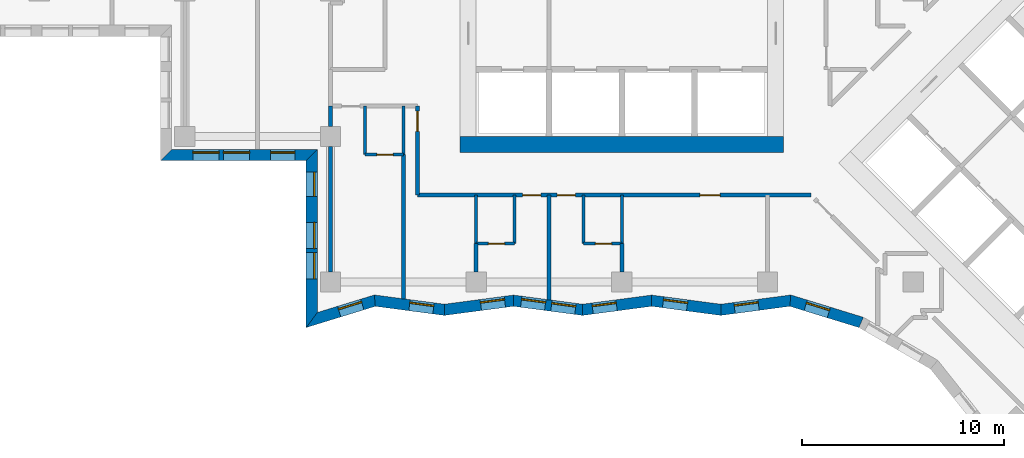
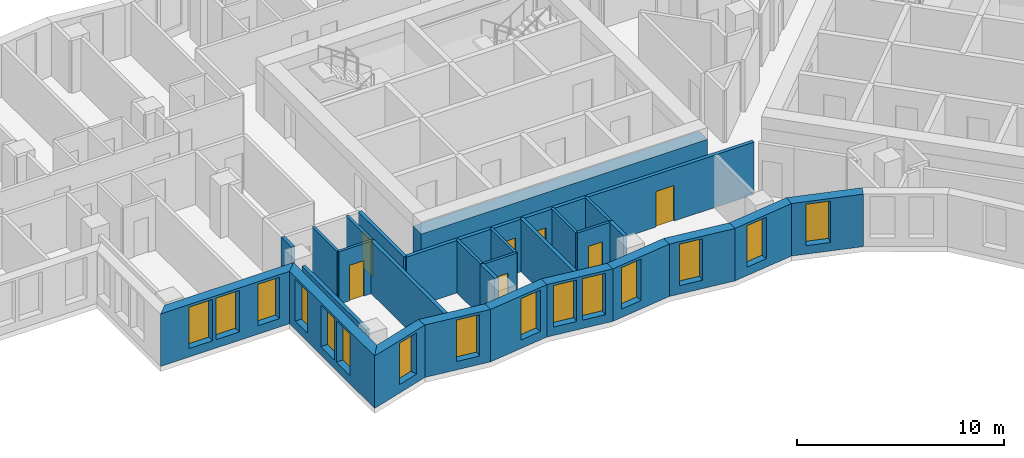
# One storey, part 2 of 13: 28 walls, 15 windows, 7 doors, 22 openings.
"""IFC4 building model written with IfcOpenShell, lengths in metres."""

import ifcopenshell
import ifcopenshell.guid

model = None  # the IFC model being written
_history = None  # IfcOwnerHistory: only IFC2X3 demands one
_inside = {}  # id of a spatial element -> (the spatial element, [elements in it])
_under = {}  # id of a project, library or spatial element -> (it, [spatial elements below it])
_declared = {}  # id of a project -> (the project, [libraries it declares])
_typed = {}  # id of a type object -> (the type object, [elements of that type])
_made_of = {}  # id of a material, layer set ... -> (it, [elements and type objects made of it])


def new_model(schema):
    """Start an empty IFC model of exactly this schema.

    Asked for "IFC4X3", IfcOpenShell would pick the latest addendum, in which some entities
    have other attributes; the version numbers below select the first issue.
    IFC2X3 requires an IfcOwnerHistory on every rooted entity: one is made here for all.
    """
    global model, _history
    if schema == "IFC4X3":
        model = ifcopenshell.file(schema_version=(4, 3, 0, 0))
    else:
        model = ifcopenshell.file(schema=schema)
    _inside.clear()
    _under.clear()
    _declared.clear()
    _typed.clear()
    _made_of.clear()
    _history = None
    if model.schema == "IFC2X3":
        org = make("IfcOrganization", Name="unknown")
        user = make(
            "IfcPersonAndOrganization",
            ThePerson=make("IfcPerson", FamilyName="unknown"),
            TheOrganization=org,
        )
        app = make(
            "IfcApplication",
            ApplicationDeveloper=org,
            Version="unknown",
            ApplicationFullName="unknown",
            ApplicationIdentifier="unknown",
        )
        _history = make(
            "IfcOwnerHistory",
            OwningUser=user,
            OwningApplication=app,
            ChangeAction="ADDED",
            CreationDate=0,
        )
    return model


def make(cls, **values):
    """One entity of the class cls with the attributes given. An attribute that is None is left unset."""
    return model.create_entity(
        cls, **{name: value for name, value in values.items() if value is not None}
    )


def rooted(cls, **values):
    """An entity with a GlobalId (a new one), such as an element, a storey or a relation."""
    return make(cls, GlobalId=ifcopenshell.guid.new(), OwnerHistory=_history, **values)


def si_unit(unit_type, name, prefix=None):
    """IfcSIUnit, for example si_unit("LENGTHUNIT", "METRE", prefix="MILLI")."""
    return make("IfcSIUnit", UnitType=unit_type, Prefix=prefix, Name=name)


def assignment(units):
    """IfcUnitAssignment: the units of a project."""
    return None if units is None else make("IfcUnitAssignment", Units=units)


def point(xyz):
    """IfcCartesianPoint."""
    return None if xyz is None else make("IfcCartesianPoint", Coordinates=xyz)


def direction(xyz):
    """IfcDirection."""
    return None if xyz is None else make("IfcDirection", DirectionRatios=xyz)


def frame(location, z_axis=None, x_axis=None):
    """IfcAxis2Placement3D, a coordinate frame: its origin and axes. An axis left out is left unset."""
    return make(
        "IfcAxis2Placement3D",
        Location=point(location),
        Axis=direction(z_axis),
        RefDirection=direction(x_axis),
    )


def frame_2d(location, x_axis=None):
    """IfcAxis2Placement2D, a coordinate frame in the plane: its origin and x axis."""
    return make(
        "IfcAxis2Placement2D", Location=point(location), RefDirection=direction(x_axis)
    )


def origin():
    """The frame at (0, 0, 0) with its axes left unset."""
    return frame((0.0, 0.0, 0.0))


def place(relative_to, where):
    """IfcLocalPlacement: puts the frame where relative to a parent placement (None: the world)."""
    return make(
        "IfcLocalPlacement", PlacementRelTo=relative_to, RelativePlacement=where
    )


def context(
    kind, dimensions, precision=None, world=None, true_north=None, identifier=None
):
    """IfcGeometricRepresentationContext, for example the 3D "Model" context."""
    return make(
        "IfcGeometricRepresentationContext",
        ContextIdentifier=identifier,
        ContextType=kind,
        CoordinateSpaceDimension=dimensions,
        Precision=precision,
        WorldCoordinateSystem=world,
        TrueNorth=true_north,
    )


def subcontext(parent, identifier, kind, view, scale=None):
    """IfcGeometricRepresentationSubContext, for example "Body" below "Model"."""
    return make(
        "IfcGeometricRepresentationSubContext",
        ContextIdentifier=identifier,
        ContextType=kind,
        ParentContext=parent,
        TargetScale=scale,
        TargetView=view,
    )


def project(units=None, contexts=None):
    """IfcProject with its units and contexts."""
    return rooted(
        "IfcProject",
        Name="project",
        RepresentationContexts=contexts,
        UnitsInContext=assignment(units),
    )


def spatial(cls, under=None, at=None, **own):
    """A site, building, storey or space (cls), placed at a placement, below another one or the project."""
    s = rooted(cls, ObjectPlacement=at, **own)
    if under is not None:
        _under.setdefault(under.id(), (under, []))[1].append(s)
    return s


def polyline(points):
    """IfcPolyline through the points."""
    return make("IfcPolyline", Points=[point(p) for p in points])


def profile(cls, at=None, kind="AREA", **sizes):
    """A parametric profile (cls). Its sizes go by their IFC names, for example OverallWidth=200.0."""
    return make(cls, ProfileType=kind, Position=at, **sizes)


def rectangle(**sizes):
    """IfcRectangleProfileDef."""
    return profile("IfcRectangleProfileDef", **sizes)


def outline(outer, holes=None, kind="AREA"):
    """IfcArbitraryClosedProfileDef: a profile drawn as a closed curve; with holes, ...WithVoids."""
    if holes is None:
        return make("IfcArbitraryClosedProfileDef", ProfileType=kind, OuterCurve=outer)
    return make(
        "IfcArbitraryProfileDefWithVoids",
        ProfileType=kind,
        OuterCurve=outer,
        InnerCurves=holes,
    )


def extrude(swept, where, along, depth):
    """IfcExtrudedAreaSolid: the profile swept, set in the frame where, extruded along a direction by depth."""
    return make(
        "IfcExtrudedAreaSolid",
        SweptArea=swept,
        Position=where,
        ExtrudedDirection=direction(along),
        Depth=depth,
    )


def shape(context_of_items, identifier, shape_type, items):
    """IfcShapeRepresentation: the items that make up one representation, for example the "Body"."""
    return make(
        "IfcShapeRepresentation",
        ContextOfItems=context_of_items,
        RepresentationIdentifier=identifier,
        RepresentationType=shape_type,
        Items=items,
    )


def material(Name=None, Category=None):
    """IfcMaterial."""
    return make("IfcMaterial", Name=Name, Category=Category)


def layer(
    of_material, thickness, ventilated=None, Name=None, Category=None, Priority=None
):
    """IfcMaterialLayer: one layer of a wall or slab, of a material (None: an air gap)."""
    return make(
        "IfcMaterialLayer",
        Material=of_material,
        LayerThickness=thickness,
        IsVentilated=ventilated,
        Name=Name,
        Category=Category,
        Priority=Priority,
    )


def layer_set(layers, Name=None):
    """IfcMaterialLayerSet."""
    return make("IfcMaterialLayerSet", MaterialLayers=layers, LayerSetName=Name)


def made_of(thing, what):
    """Note that an element or type object is made of a material, layer set ...; save() writes the relation."""
    if what is not None:
        _made_of.setdefault(what.id(), (what, []))[1].append(thing)
    return thing


def type_object(cls, material=None, **own):
    """A type object (cls), such as IfcWallType, which elements share."""
    return made_of(rooted(cls, **own), material)


def element(
    cls,
    number,
    at=None,
    inside=None,
    cuts=None,
    type_object=None,
    material=None,
    context=None,
    identifier="Body",
    shape_type=None,
    held_by="IfcProductDefinitionShape",
    body=None,
    shapes=None,
    **own,
):
    """One element of the class cls, such as IfcWall. Its Tag is "e" and its number.

    at: its placement. inside: the storey or other place that contains it. cuts: it is an
    opening in that element (IfcRelVoidsElement). A single representation is given by context,
    identifier, shape_type and body (its items); several are given by shapes. held_by: the class
    of the entity that holds the representations. save() writes the other relations.
    """
    e = rooted(cls, Tag="e%d" % number, ObjectPlacement=at, **own)
    if body is not None:
        shapes = [shape(context, identifier, shape_type, body)]
    if shapes is not None:
        e.Representation = make(held_by, Representations=shapes)
    if inside is not None:
        _inside.setdefault(inside.id(), (inside, []))[1].append(e)
    if cuts is not None:
        rooted(
            "IfcRelVoidsElement", RelatingBuildingElement=cuts, RelatedOpeningElement=e
        )
    if type_object is not None:
        _typed.setdefault(type_object.id(), (type_object, []))[1].append(e)
    return made_of(e, material)


def fill(opening, filler):
    """IfcRelFillsElement: the door or window that sits in an opening."""
    return rooted(
        "IfcRelFillsElement",
        RelatingOpeningElement=opening,
        RelatedBuildingElement=filler,
    )


def aggregate(whole, parts):
    """IfcRelAggregates: a whole, such as a stair, and the parts it consists of."""
    return rooted("IfcRelAggregates", RelatingObject=whole, RelatedObjects=parts)


def save(model, path):
    """Write the relations noted so far, then the file.

    IfcRelAggregates (storeys below a building ...), IfcRelContainedInSpatialStructure (elements
    in a storey), IfcRelDefinesByType, IfcRelAssociatesMaterial and IfcRelDeclares: one each for
    every whole, place, type object, material and project.
    """
    for whole, parts in _under.values():
        aggregate(whole, parts)
    for where, things in _inside.values():
        rooted(
            "IfcRelContainedInSpatialStructure",
            RelatedElements=things,
            RelatingStructure=where,
        )
    for kind, things in _typed.values():
        rooted("IfcRelDefinesByType", RelatedObjects=things, RelatingType=kind)
    for what, things in _made_of.values():
        rooted("IfcRelAssociatesMaterial", RelatedObjects=things, RelatingMaterial=what)
    for by, libraries in _declared.values():
        rooted("IfcRelDeclares", RelatingContext=by, RelatedDefinitions=libraries)
    model.write(path)


model = new_model("IFC4")

# Units and contexts
model_context = context("Model", 3, precision=1e-05, world=origin(), true_north=direction((0.0, 1.0)))
body_context = subcontext(model_context, "Body", "Model", "MODEL_VIEW")
ifc_project = project(units=[si_unit("LENGTHUNIT", "METRE"), si_unit("AREAUNIT", "SQUARE_METRE"), si_unit("VOLUMEUNIT", "CUBIC_METRE"), si_unit("PLANEANGLEUNIT", "RADIAN"), si_unit("MASSUNIT", "GRAM", prefix="KILO")], contexts=[model_context])

# Site, building, storey
site_placement = place(None, origin())
site = spatial("IfcSite", under=ifc_project, at=site_placement, CompositionType="ELEMENT")
building_placement = place(site_placement, origin())
building = spatial("IfcBuilding", under=site, at=building_placement, Name="Windrow Commons", CompositionType="ELEMENT")
storey_placement = place(building_placement, frame((0.0, 0.0, 98.2)))
storey = spatial("IfcBuildingStorey", under=building, at=storey_placement, Name="L26", CompositionType="ELEMENT", Elevation=98.2)

# Wall, openings, windows
ifc_material_1 = material(Name="Brick masonry, red clay brick", Category="masonry")
ifc_layer_1 = layer(ifc_material_1, 0.55)
ifc_layer_set_1 = layer_set([ifc_layer_1], Name="Brick facade wall 550")
wall_type_1 = type_object("IfcWallType", Name="Brick facade wall 550", PredefinedType="SOLIDWALL", material=ifc_layer_set_1)
wall_1_placement = place(storey_placement, frame((42.275, 49.475, 0.0), z_axis=(0.0, 0.0, 1.0), x_axis=(1.0, 0.0, 0.0)))
wall_1 = element("IfcWall", 1, at=wall_1_placement, inside=storey, type_object=wall_type_1, Name="Brick facade wall L26 42", PredefinedType="SOLIDWALL", context=body_context, shape_type="SweptSolid", body=[
    extrude(outline(polyline([(-0.275, -0.275), (6.925, -0.275), (7.475, 0.275), (0.275, 0.275), (-0.275, -0.275)])), origin(), (0.0, 0.0, 1.0), 3.1),
])
opening_1_placement = place(wall_1_placement, frame((1.325, 0.0, 0.5)))
opening_1 = element("IfcOpeningElement", 2, at=opening_1_placement, cuts=wall_1, Name="Opening W1P", PredefinedType="OPENING", context=body_context, shape_type="SweptSolid", body=[
    extrude(rectangle(XDim=1.3, YDim=2.45, at=frame_2d((0.65, 1.225))), frame((0.0, 0.285, 0.0), z_axis=(0.0, -1.0, 0.0), x_axis=(1.0, 0.0, 0.0)), (0.0, 0.0, 1.0), 0.57),
])
opening_2_placement = place(wall_1_placement, frame((2.825, 0.0, 0.5)))
opening_2 = element("IfcOpeningElement", 3, at=opening_2_placement, cuts=wall_1, Name="Opening W1P", PredefinedType="OPENING", context=body_context, shape_type="SweptSolid", body=[
    extrude(rectangle(XDim=1.3, YDim=2.45, at=frame_2d((0.65, 1.225))), frame((0.0, 0.285, 0.0), z_axis=(0.0, -1.0, 0.0), x_axis=(1.0, 0.0, 0.0)), (0.0, 0.0, 1.0), 0.57),
])
opening_3_placement = place(wall_1_placement, frame((5.1625, 0.0, 0.5)))
opening_3 = element("IfcOpeningElement", 4, at=opening_3_placement, cuts=wall_1, Name="Opening W7D", PredefinedType="OPENING", context=body_context, shape_type="SweptSolid", body=[
    extrude(rectangle(XDim=1.2, YDim=2.45, at=frame_2d((0.6, 1.225))), frame((0.0, 0.285, 0.0), z_axis=(0.0, -1.0, 0.0), x_axis=(1.0, 0.0, 0.0)), (0.0, 0.0, 1.0), 0.57),
])
ifc_material_2 = material(Name="Clear float glass in anodised aluminium frame", Category="aluminium")
window_type_1 = type_object("IfcWindowType", Name="Window W1P pair 1300x2450", PartitioningType="SINGLE_PANEL", PredefinedType="WINDOW", material=ifc_material_2)
window_1_placement = place(opening_1_placement, origin())
window_1 = element("IfcWindow", 5, at=window_1_placement, inside=storey, type_object=window_type_1, Name="Window L26 42.1A", OverallHeight=2.45, OverallWidth=1.3, PartitioningType="SINGLE_PANEL", PredefinedType="WINDOW", context=body_context, shape_type="SweptSolid", body=[
    extrude(rectangle(XDim=1.3, YDim=2.45, at=frame_2d((0.65, 1.225))), frame((0.0, 0.155, 0.0), z_axis=(0.0, -1.0, 0.0), x_axis=(1.0, 0.0, 0.0)), (0.0, 0.0, 1.0), 0.06),
])
fill(opening_1, window_1)
window_2_placement = place(opening_2_placement, origin())
window_2 = element("IfcWindow", 6, at=window_2_placement, inside=storey, type_object=window_type_1, Name="Window L26 42.1B", OverallHeight=2.45, OverallWidth=1.3, PartitioningType="SINGLE_PANEL", PredefinedType="WINDOW", context=body_context, shape_type="SweptSolid", body=[
    extrude(rectangle(XDim=1.3, YDim=2.45, at=frame_2d((0.65, 1.225))), frame((0.0, 0.155, 0.0), z_axis=(0.0, -1.0, 0.0), x_axis=(1.0, 0.0, 0.0)), (0.0, 0.0, 1.0), 0.06),
])
fill(opening_2, window_2)
ifc_material_3 = material(Name="Clear float glass in anodised aluminium frame", Category="aluminium")
window_type_2 = type_object("IfcWindowType", Name="Window W7 notch 1200x2450", PartitioningType="SINGLE_PANEL", PredefinedType="WINDOW", material=ifc_material_3)
window_3_placement = place(opening_3_placement, origin())
window_3 = element("IfcWindow", 7, at=window_3_placement, inside=storey, type_object=window_type_2, Name="Window L26 42.2", OverallHeight=2.45, OverallWidth=1.2, PartitioningType="SINGLE_PANEL", PredefinedType="WINDOW", context=body_context, shape_type="SweptSolid", body=[
    extrude(rectangle(XDim=1.2, YDim=2.45, at=frame_2d((0.6, 1.225))), frame((0.0, 0.155, 0.0), z_axis=(0.0, -1.0, 0.0), x_axis=(1.0, 0.0, 0.0)), (0.0, 0.0, 1.0), 0.06),
])
fill(opening_3, window_3)

wall_2_placement = place(storey_placement, frame((49.475, 49.475, 0.0), z_axis=(0.0, 0.0, 1.0), x_axis=(0.0, -1.0, 0.0)))
wall_2 = element("IfcWall", 8, at=wall_2_placement, inside=storey, type_object=wall_type_1, Name="Brick facade wall L26 43", PredefinedType="SOLIDWALL", context=body_context, shape_type="SweptSolid", body=[
    extrude(outline(polyline([(0.275, -0.275), (8.526, -0.275), (7.7813, 0.275), (-0.275, 0.275), (0.275, -0.275)])), origin(), (0.0, 0.0, 1.0), 3.1),
])
opening_4_placement = place(wall_2_placement, frame((3.325, 0.0, 0.5)))
opening_4 = element("IfcOpeningElement", 9, at=opening_4_placement, cuts=wall_2, Name="Opening W1P", PredefinedType="OPENING", context=body_context, shape_type="SweptSolid", body=[
    extrude(rectangle(XDim=1.3, YDim=2.45, at=frame_2d((0.65, 1.225))), frame((0.0, 0.285, 0.0), z_axis=(0.0, -1.0, 0.0), x_axis=(1.0, 0.0, 0.0)), (0.0, 0.0, 1.0), 0.57),
])
opening_5_placement = place(wall_2_placement, frame((4.825, 0.0, 0.5)))
opening_5 = element("IfcOpeningElement", 10, at=opening_5_placement, cuts=wall_2, Name="Opening W1P", PredefinedType="OPENING", context=body_context, shape_type="SweptSolid", body=[
    extrude(rectangle(XDim=1.3, YDim=2.45, at=frame_2d((0.65, 1.225))), frame((0.0, 0.285, 0.0), z_axis=(0.0, -1.0, 0.0), x_axis=(1.0, 0.0, 0.0)), (0.0, 0.0, 1.0), 0.57),
])
opening_6_placement = place(wall_2_placement, frame((0.8375, 0.0, 0.5)))
opening_6 = element("IfcOpeningElement", 11, at=opening_6_placement, cuts=wall_2, Name="Opening W7D", PredefinedType="OPENING", context=body_context, shape_type="SweptSolid", body=[
    extrude(rectangle(XDim=1.2, YDim=2.45, at=frame_2d((0.6, 1.225))), frame((0.0, 0.285, 0.0), z_axis=(0.0, -1.0, 0.0), x_axis=(1.0, 0.0, 0.0)), (0.0, 0.0, 1.0), 0.57),
])
window_4_placement = place(opening_4_placement, origin())
window_4 = element("IfcWindow", 12, at=window_4_placement, inside=storey, type_object=window_type_1, Name="Window L26 43.1A", OverallHeight=2.45, OverallWidth=1.3, PartitioningType="SINGLE_PANEL", PredefinedType="WINDOW", context=body_context, shape_type="SweptSolid", body=[
    extrude(rectangle(XDim=1.3, YDim=2.45, at=frame_2d((0.65, 1.225))), frame((0.0, 0.155, 0.0), z_axis=(0.0, -1.0, 0.0), x_axis=(1.0, 0.0, 0.0)), (0.0, 0.0, 1.0), 0.06),
])
fill(opening_4, window_4)
window_5_placement = place(opening_5_placement, origin())
window_5 = element("IfcWindow", 13, at=window_5_placement, inside=storey, type_object=window_type_1, Name="Window L26 43.1B", OverallHeight=2.45, OverallWidth=1.3, PartitioningType="SINGLE_PANEL", PredefinedType="WINDOW", context=body_context, shape_type="SweptSolid", body=[
    extrude(rectangle(XDim=1.3, YDim=2.45, at=frame_2d((0.65, 1.225))), frame((0.0, 0.155, 0.0), z_axis=(0.0, -1.0, 0.0), x_axis=(1.0, 0.0, 0.0)), (0.0, 0.0, 1.0), 0.06),
])
fill(opening_5, window_5)
window_6_placement = place(opening_6_placement, origin())
window_6 = element("IfcWindow", 14, at=window_6_placement, inside=storey, type_object=window_type_2, Name="Window L26 43.2", OverallHeight=2.45, OverallWidth=1.2, PartitioningType="SINGLE_PANEL", PredefinedType="WINDOW", context=body_context, shape_type="SweptSolid", body=[
    extrude(rectangle(XDim=1.2, YDim=2.45, at=frame_2d((0.6, 1.225))), frame((0.0, 0.155, 0.0), z_axis=(0.0, -1.0, 0.0), x_axis=(1.0, 0.0, 0.0)), (0.0, 0.0, 1.0), 0.06),
])
fill(opening_6, window_6)

# Wall, opening, window
wall_3_placement = place(storey_placement, frame((49.475, 41.3214, 0.0), z_axis=(0.0, 0.0, 1.0), x_axis=(0.9557664095, 0.2941267931, 0.0)))
wall_3 = element("IfcWall", 15, at=wall_3_placement, inside=storey, type_object=wall_type_1, Name="Brick facade wall L26 44", PredefinedType="SOLIDWALL", context=body_context, shape_type="SweptSolid", body=[
    extrude(outline(polyline([(-0.3724, -0.275), (3.2008, -0.275), (3.3208, 0.275), (0.3724, 0.275), (-0.3724, -0.275)])), origin(), (0.0, 0.0, 1.0), 3.1),
])
opening_7_placement = place(wall_3_placement, frame((1.4143, 0.0, 0.5)))
opening_7 = element("IfcOpeningElement", 16, at=opening_7_placement, cuts=wall_3, Name="Opening W7D", PredefinedType="OPENING", context=body_context, shape_type="SweptSolid", body=[
    extrude(rectangle(XDim=1.2, YDim=2.45, at=frame_2d((0.6, 1.225))), frame((0.0, 0.285, 0.0), z_axis=(0.0, -1.0, 0.0), x_axis=(1.0, 0.0, 0.0)), (0.0, 0.0, 1.0), 0.57),
])
window_7_placement = place(opening_7_placement, origin())
window_7 = element("IfcWindow", 17, at=window_7_placement, inside=storey, type_object=window_type_2, Name="Window L26 44.1", OverallHeight=2.45, OverallWidth=1.2, PartitioningType="SINGLE_PANEL", PredefinedType="WINDOW", context=body_context, shape_type="SweptSolid", body=[
    extrude(rectangle(XDim=1.2, YDim=2.45, at=frame_2d((0.6, 1.225))), frame((0.0, 0.155, 0.0), z_axis=(0.0, -1.0, 0.0), x_axis=(1.0, 0.0, 0.0)), (0.0, 0.0, 1.0), 0.06),
])
fill(opening_7, window_7)

wall_4_placement = place(storey_placement, frame((52.5916, 42.2805, 0.0), z_axis=(0.0, 0.0, 1.0), x_axis=(0.9913920636, -0.1309266064, 0.0)))
wall_4 = element("IfcWall", 18, at=wall_4_placement, inside=storey, type_object=wall_type_1, Name="Brick facade wall L26 45", PredefinedType="SOLIDWALL", context=body_context, shape_type="SweptSolid", body=[
    extrude(outline(polyline([(0.06, -0.275), (3.5048, -0.275), (3.4321, 0.275), (-0.06, 0.275), (0.06, -0.275)])), origin(), (0.0, 0.0, 1.0), 3.1),
])
opening_8_placement = place(wall_4_placement, frame((1.7264, 0.0, 0.5)))
opening_8 = element("IfcOpeningElement", 19, at=opening_8_placement, cuts=wall_4, Name="Opening W7D", PredefinedType="OPENING", context=body_context, shape_type="SweptSolid", body=[
    extrude(rectangle(XDim=1.2, YDim=2.45, at=frame_2d((0.6, 1.225))), frame((0.0, 0.285, 0.0), z_axis=(0.0, -1.0, 0.0), x_axis=(1.0, 0.0, 0.0)), (0.0, 0.0, 1.0), 0.57),
])
window_8_placement = place(opening_8_placement, origin())
window_8 = element("IfcWindow", 20, at=window_8_placement, inside=storey, type_object=window_type_2, Name="Window L26 45.1", OverallHeight=2.45, OverallWidth=1.2, PartitioningType="SINGLE_PANEL", PredefinedType="WINDOW", context=body_context, shape_type="SweptSolid", body=[
    extrude(rectangle(XDim=1.2, YDim=2.45, at=frame_2d((0.6, 1.225))), frame((0.0, 0.155, 0.0), z_axis=(0.0, -1.0, 0.0), x_axis=(1.0, 0.0, 0.0)), (0.0, 0.0, 1.0), 0.06),
])
fill(opening_8, window_8)

wall_5_placement = place(storey_placement, frame((56.0301, 41.8264, 0.0), z_axis=(0.0, 0.0, 1.0), x_axis=(0.9913924297, 0.1309238341, 0.0)))
wall_5 = element("IfcWall", 21, at=wall_5_placement, inside=storey, type_object=wall_type_1, Name="Brick facade wall L26 46", PredefinedType="SOLIDWALL", context=body_context, shape_type="SweptSolid", body=[
    extrude(outline(polyline([(-0.0363, -0.275), (3.4084, -0.275), (3.481, 0.275), (0.0363, 0.275), (-0.0363, -0.275)])), origin(), (0.0, 0.0, 1.0), 3.1),
])
opening_9_placement = place(wall_5_placement, frame((1.8141, 0.0, 0.5)))
opening_9 = element("IfcOpeningElement", 22, at=opening_9_placement, cuts=wall_5, Name="Opening W7D", PredefinedType="OPENING", context=body_context, shape_type="SweptSolid", body=[
    extrude(rectangle(XDim=1.2, YDim=2.45, at=frame_2d((0.6, 1.225))), frame((0.0, 0.285, 0.0), z_axis=(0.0, -1.0, 0.0), x_axis=(1.0, 0.0, 0.0)), (0.0, 0.0, 1.0), 0.57),
])
window_9_placement = place(opening_9_placement, origin())
window_9 = element("IfcWindow", 23, at=window_9_placement, inside=storey, type_object=window_type_2, Name="Window L26 46.1", OverallHeight=2.45, OverallWidth=1.2, PartitioningType="SINGLE_PANEL", PredefinedType="WINDOW", context=body_context, shape_type="SweptSolid", body=[
    extrude(rectangle(XDim=1.2, YDim=2.45, at=frame_2d((0.6, 1.225))), frame((0.0, 0.155, 0.0), z_axis=(0.0, -1.0, 0.0), x_axis=(1.0, 0.0, 0.0)), (0.0, 0.0, 1.0), 0.06),
])
fill(opening_9, window_9)

# Wall, openings, windows
wall_6_placement = place(storey_placement, frame((59.4452, 42.2774, 0.0), z_axis=(0.0, 0.0, 1.0), x_axis=(0.9913924297, -0.1309238341, 0.0)))
wall_6 = element("IfcWall", 24, at=wall_6_placement, inside=storey, type_object=wall_type_1, Name="Brick facade wall L26 47", PredefinedType="SOLIDWALL", context=body_context, shape_type="SweptSolid", body=[
    extrude(outline(polyline([(0.0363, -0.275), (3.481, -0.275), (3.4084, 0.275), (-0.0363, 0.275), (0.0363, -0.275)])), origin(), (0.0, 0.0, 1.0), 3.1),
])
opening_10_placement = place(wall_6_placement, frame((0.385, 0.0, 0.5)))
opening_10 = element("IfcOpeningElement", 25, at=opening_10_placement, cuts=wall_6, Name="Opening W7D", PredefinedType="OPENING", context=body_context, shape_type="SweptSolid", body=[
    extrude(rectangle(XDim=1.2, YDim=2.45, at=frame_2d((0.6, 1.225))), frame((0.0, 0.285, 0.0), z_axis=(0.0, -1.0, 0.0), x_axis=(1.0, 0.0, 0.0)), (0.0, 0.0, 1.0), 0.57),
])
opening_11_placement = place(wall_6_placement, frame((1.8892, 0.0, 0.5)))
opening_11 = element("IfcOpeningElement", 26, at=opening_11_placement, cuts=wall_6, Name="Opening W7D", PredefinedType="OPENING", context=body_context, shape_type="SweptSolid", body=[
    extrude(rectangle(XDim=1.2, YDim=2.45, at=frame_2d((0.6, 1.225))), frame((0.0, 0.285, 0.0), z_axis=(0.0, -1.0, 0.0), x_axis=(1.0, 0.0, 0.0)), (0.0, 0.0, 1.0), 0.57),
])
window_10_placement = place(opening_10_placement, origin())
window_10 = element("IfcWindow", 27, at=window_10_placement, inside=storey, type_object=window_type_2, Name="Window L26 47.1", OverallHeight=2.45, OverallWidth=1.2, PartitioningType="SINGLE_PANEL", PredefinedType="WINDOW", context=body_context, shape_type="SweptSolid", body=[
    extrude(rectangle(XDim=1.2, YDim=2.45, at=frame_2d((0.6, 1.225))), frame((0.0, 0.155, 0.0), z_axis=(0.0, -1.0, 0.0), x_axis=(1.0, 0.0, 0.0)), (0.0, 0.0, 1.0), 0.06),
])
fill(opening_10, window_10)
window_11_placement = place(opening_11_placement, origin())
window_11 = element("IfcWindow", 28, at=window_11_placement, inside=storey, type_object=window_type_2, Name="Window L26 47.2", OverallHeight=2.45, OverallWidth=1.2, PartitioningType="SINGLE_PANEL", PredefinedType="WINDOW", context=body_context, shape_type="SweptSolid", body=[
    extrude(rectangle(XDim=1.2, YDim=2.45, at=frame_2d((0.6, 1.225))), frame((0.0, 0.155, 0.0), z_axis=(0.0, -1.0, 0.0), x_axis=(1.0, 0.0, 0.0)), (0.0, 0.0, 1.0), 0.06),
])
fill(opening_11, window_11)

# Wall, opening, window
wall_7_placement = place(storey_placement, frame((62.8603, 41.8264, 0.0), z_axis=(0.0, 0.0, 1.0), x_axis=(0.9913924297, 0.1309238341, 0.0)))
wall_7 = element("IfcWall", 29, at=wall_7_placement, inside=storey, type_object=wall_type_1, Name="Brick facade wall L26 48", PredefinedType="SOLIDWALL", context=body_context, shape_type="SweptSolid", body=[
    extrude(outline(polyline([(-0.0363, -0.275), (3.4084, -0.275), (3.481, 0.275), (0.0363, 0.275), (-0.0363, -0.275)])), origin(), (0.0, 0.0, 1.0), 3.1),
])
opening_12_placement = place(wall_7_placement, frame((0.4964, 0.0, 0.5)))
opening_12 = element("IfcOpeningElement", 30, at=opening_12_placement, cuts=wall_7, Name="Opening W7D", PredefinedType="OPENING", context=body_context, shape_type="SweptSolid", body=[
    extrude(rectangle(XDim=1.2, YDim=2.45, at=frame_2d((0.6, 1.225))), frame((0.0, 0.285, 0.0), z_axis=(0.0, -1.0, 0.0), x_axis=(1.0, 0.0, 0.0)), (0.0, 0.0, 1.0), 0.57),
])
window_12_placement = place(opening_12_placement, origin())
window_12 = element("IfcWindow", 31, at=window_12_placement, inside=storey, type_object=window_type_2, Name="Window L26 48.1", OverallHeight=2.45, OverallWidth=1.2, PartitioningType="SINGLE_PANEL", PredefinedType="WINDOW", context=body_context, shape_type="SweptSolid", body=[
    extrude(rectangle(XDim=1.2, YDim=2.45, at=frame_2d((0.6, 1.225))), frame((0.0, 0.155, 0.0), z_axis=(0.0, -1.0, 0.0), x_axis=(1.0, 0.0, 0.0)), (0.0, 0.0, 1.0), 0.06),
])
fill(opening_12, window_12)

wall_8_placement = place(storey_placement, frame((66.2754, 42.2774, 0.0), z_axis=(0.0, 0.0, 1.0), x_axis=(0.9913919321, -0.1309276022, 0.0)))
wall_8 = element("IfcWall", 32, at=wall_8_placement, inside=storey, type_object=wall_type_1, Name="Brick facade wall L26 49", PredefinedType="SOLIDWALL", context=body_context, shape_type="SweptSolid", body=[
    extrude(outline(polyline([(0.0363, -0.275), (3.481, -0.275), (3.4084, 0.275), (-0.0363, 0.275), (0.0363, -0.275)])), origin(), (0.0, 0.0, 1.0), 3.1),
])
opening_13_placement = place(wall_8_placement, frame((0.5715, 0.0, 0.5)))
opening_13 = element("IfcOpeningElement", 33, at=opening_13_placement, cuts=wall_8, Name="Opening W7D", PredefinedType="OPENING", context=body_context, shape_type="SweptSolid", body=[
    extrude(rectangle(XDim=1.2, YDim=2.45, at=frame_2d((0.6, 1.225))), frame((0.0, 0.285, 0.0), z_axis=(0.0, -1.0, 0.0), x_axis=(1.0, 0.0, 0.0)), (0.0, 0.0, 1.0), 0.57),
])
window_13_placement = place(opening_13_placement, origin())
window_13 = element("IfcWindow", 34, at=window_13_placement, inside=storey, type_object=window_type_2, Name="Window L26 49.1", OverallHeight=2.45, OverallWidth=1.2, PartitioningType="SINGLE_PANEL", PredefinedType="WINDOW", context=body_context, shape_type="SweptSolid", body=[
    extrude(rectangle(XDim=1.2, YDim=2.45, at=frame_2d((0.6, 1.225))), frame((0.0, 0.155, 0.0), z_axis=(0.0, -1.0, 0.0), x_axis=(1.0, 0.0, 0.0)), (0.0, 0.0, 1.0), 0.06),
])
fill(opening_13, window_13)

wall_9_placement = place(storey_placement, frame((69.6904, 41.8264, 0.0), z_axis=(0.0, 0.0, 1.0), x_axis=(0.9913925578, 0.1309228641, 0.0)))
wall_9 = element("IfcWall", 35, at=wall_9_placement, inside=storey, type_object=wall_type_1, Name="Brick facade wall L26 50", PredefinedType="SOLIDWALL", context=body_context, shape_type="SweptSolid", body=[
    extrude(outline(polyline([(-0.0363, -0.275), (3.4084, -0.275), (3.5285, 0.275), (0.0363, 0.275), (-0.0363, -0.275)])), origin(), (0.0, 0.0, 1.0), 3.1),
])
opening_14_placement = place(wall_9_placement, frame((0.683, 0.0, 0.5)))
opening_14 = element("IfcOpeningElement", 36, at=opening_14_placement, cuts=wall_9, Name="Opening W7D", PredefinedType="OPENING", context=body_context, shape_type="SweptSolid", body=[
    extrude(rectangle(XDim=1.2, YDim=2.45, at=frame_2d((0.6, 1.225))), frame((0.0, 0.285, 0.0), z_axis=(0.0, -1.0, 0.0), x_axis=(1.0, 0.0, 0.0)), (0.0, 0.0, 1.0), 0.57),
])
window_14_placement = place(opening_14_placement, origin())
window_14 = element("IfcWindow", 37, at=window_14_placement, inside=storey, type_object=window_type_2, Name="Window L26 50.1", OverallHeight=2.45, OverallWidth=1.2, PartitioningType="SINGLE_PANEL", PredefinedType="WINDOW", context=body_context, shape_type="SweptSolid", body=[
    extrude(rectangle(XDim=1.2, YDim=2.45, at=frame_2d((0.6, 1.225))), frame((0.0, 0.155, 0.0), z_axis=(0.0, -1.0, 0.0), x_axis=(1.0, 0.0, 0.0)), (0.0, 0.0, 1.0), 0.06),
])
fill(opening_14, window_14)

wall_10_placement = place(storey_placement, frame((73.129, 42.2805, 0.0), z_axis=(0.0, 0.0, 1.0), x_axis=(0.9557583549, -0.2941529654, 0.0)))
wall_10 = element("IfcWall", 38, at=wall_10_placement, inside=storey, type_object=wall_type_1, Name="Brick facade wall L26 51", PredefinedType="SOLIDWALL", context=body_context, shape_type="SweptSolid", body=[
    extrude(outline(polyline([(0.06, -0.275), (3.6332, -0.275), (3.6957, 0.275), (-0.06, 0.275), (0.06, -0.275)])), origin(), (0.0, 0.0, 1.0), 3.1),
])
opening_15_placement = place(wall_10_placement, frame((0.7927, 0.0, 0.5)))
opening_15 = element("IfcOpeningElement", 39, at=opening_15_placement, cuts=wall_10, Name="Opening W7D", PredefinedType="OPENING", context=body_context, shape_type="SweptSolid", body=[
    extrude(rectangle(XDim=1.2, YDim=2.45, at=frame_2d((0.6, 1.225))), frame((0.0, 0.285, 0.0), z_axis=(0.0, -1.0, 0.0), x_axis=(1.0, 0.0, 0.0)), (0.0, 0.0, 1.0), 0.57),
])
window_15_placement = place(opening_15_placement, origin())
window_15 = element("IfcWindow", 40, at=window_15_placement, inside=storey, type_object=window_type_2, Name="Window L26 51.1", OverallHeight=2.45, OverallWidth=1.2, PartitioningType="SINGLE_PANEL", PredefinedType="WINDOW", context=body_context, shape_type="SweptSolid", body=[
    extrude(rectangle(XDim=1.2, YDim=2.45, at=frame_2d((0.6, 1.225))), frame((0.0, 0.155, 0.0), z_axis=(0.0, -1.0, 0.0), x_axis=(1.0, 0.0, 0.0)), (0.0, 0.0, 1.0), 0.06),
])
fill(opening_15, window_15)

# Wall, openings, doors
ifc_material_4 = material(Name="Blockwork partition", Category="masonry")
ifc_layer_2 = layer(ifc_material_4, 0.2)
ifc_layer_set_2 = layer_set([ifc_layer_2], Name="IW-CORRIDOR-200")
wall_type_2 = type_object("IfcWallType", Name="IW-CORRIDOR-200", PredefinedType="PARTITIONING", material=ifc_layer_set_2)
wall_11_placement = place(storey_placement, frame((54.7, 47.5, 0.0), z_axis=(0.0, 0.0, 1.0), x_axis=(1.0, 0.0, 0.0)))
wall_11 = element("IfcWall", 41, at=wall_11_placement, inside=storey, type_object=wall_type_2, Name="W-L26-W002", PredefinedType="PARTITIONING", context=body_context, shape_type="SweptSolid", body=[
    extrude(rectangle(XDim=19.442, YDim=0.2, at=frame_2d((9.721, 0.0))), origin(), (0.0, 0.0, 1.0), 3.1),
])
opening_16_placement = place(wall_11_placement, frame((5.2, 0.0, 0.0)))
opening_16 = element("IfcOpeningElement", 42, at=opening_16_placement, cuts=wall_11, Name="Opening D109S", PredefinedType="OPENING", context=body_context, shape_type="SweptSolid", body=[
    extrude(rectangle(XDim=0.9, YDim=2.1, at=frame_2d((0.45, 1.05))), frame((0.0, 0.11, 0.0), z_axis=(0.0, -1.0, 0.0), x_axis=(1.0, 0.0, 0.0)), (0.0, 0.0, 1.0), 0.22),
])
opening_17_placement = place(wall_11_placement, frame((6.9, 0.0, 0.0)))
opening_17 = element("IfcOpeningElement", 43, at=opening_17_placement, cuts=wall_11, Name="Opening D109S", PredefinedType="OPENING", context=body_context, shape_type="SweptSolid", body=[
    extrude(rectangle(XDim=0.9, YDim=2.1, at=frame_2d((0.45, 1.05))), frame((0.0, 0.11, 0.0), z_axis=(0.0, -1.0, 0.0), x_axis=(1.0, 0.0, 0.0)), (0.0, 0.0, 1.0), 0.22),
])
opening_18_placement = place(wall_11_placement, frame((13.9625, 0.0, 0.0)))
opening_18 = element("IfcOpeningElement", 44, at=opening_18_placement, cuts=wall_11, Name="Opening D310F", PredefinedType="OPENING", context=body_context, shape_type="SweptSolid", body=[
    extrude(rectangle(XDim=1.0, YDim=2.1, at=frame_2d((0.5, 1.05))), frame((0.0, 0.11, 0.0), z_axis=(0.0, -1.0, 0.0), x_axis=(1.0, 0.0, 0.0)), (0.0, 0.0, 1.0), 0.22),
])
ifc_material_5 = material(Name="Timber door leaf", Category="wood")
door_type_1 = type_object("IfcDoorType", Name="DT-AMENITY-1000", OperationType="SINGLE_SWING_LEFT", PredefinedType="DOOR", material=ifc_material_5)
door_1_placement = place(opening_18_placement, origin())
door_1 = element("IfcDoor", 45, at=door_1_placement, inside=storey, type_object=door_type_1, Name="D-L26-D041", OperationType="SINGLE_SWING_LEFT", OverallHeight=2.1, OverallWidth=1.0, PredefinedType="DOOR", context=body_context, shape_type="SweptSolid", body=[
    extrude(rectangle(XDim=1.0, YDim=2.1, at=frame_2d((0.5, 1.05))), frame((0.0, 0.025, 0.0), z_axis=(0.0, -1.0, 0.0), x_axis=(1.0, 0.0, 0.0)), (0.0, 0.0, 1.0), 0.05),
])
fill(opening_18, door_1)
ifc_material_6 = material(Name="Timber door leaf", Category="wood")
door_type_2 = type_object("IfcDoorType", Name="DT-BEDROOM-900", OperationType="SINGLE_SWING_LEFT", PredefinedType="DOOR", material=ifc_material_6)
door_2_placement = place(opening_16_placement, origin())
door_2 = element("IfcDoor", 46, at=door_2_placement, inside=storey, type_object=door_type_2, Name="D-L26-D037", OperationType="SINGLE_SWING_LEFT", OverallHeight=2.1, OverallWidth=0.9, PredefinedType="DOOR", context=body_context, shape_type="SweptSolid", body=[
    extrude(rectangle(XDim=0.9, YDim=2.1, at=frame_2d((0.45, 1.05))), frame((0.0, 0.025, 0.0), z_axis=(0.0, -1.0, 0.0), x_axis=(1.0, 0.0, 0.0)), (0.0, 0.0, 1.0), 0.05),
])
fill(opening_16, door_2)
door_3_placement = place(opening_17_placement, origin())
door_3 = element("IfcDoor", 47, at=door_3_placement, inside=storey, type_object=door_type_2, Name="D-L26-D039", OperationType="SINGLE_SWING_RIGHT", OverallHeight=2.1, OverallWidth=0.9, PredefinedType="DOOR", context=body_context, shape_type="SweptSolid", body=[
    extrude(rectangle(XDim=0.9, YDim=2.1, at=frame_2d((0.45, 1.05))), frame((0.0, 0.025, 0.0), z_axis=(0.0, -1.0, 0.0), x_axis=(1.0, 0.0, 0.0)), (0.0, 0.0, 1.0), 0.05),
])
fill(opening_17, door_3)

# Wall, opening, door
wall_12_placement = place(storey_placement, frame((54.7, 47.5, 0.0), z_axis=(0.0, 0.0, 1.0), x_axis=(0.0, 1.0, 0.0)))
wall_12 = element("IfcWall", 48, at=wall_12_placement, inside=storey, type_object=wall_type_2, Name="W-L26-W046", PredefinedType="PARTITIONING", context=body_context, shape_type="SweptSolid", body=[
    extrude(rectangle(XDim=4.4, YDim=0.2, at=frame_2d((2.2, 0.0))), origin(), (0.0, 0.0, 1.0), 3.1),
])
opening_19_placement = place(wall_12_placement, frame((3.149, 0.0, 0.0)))
opening_19 = element("IfcOpeningElement", 49, at=opening_19_placement, cuts=wall_12, Name="Opening D310F", PredefinedType="OPENING", context=body_context, shape_type="SweptSolid", body=[
    extrude(rectangle(XDim=1.0, YDim=2.1, at=frame_2d((0.5, 1.05))), frame((0.0, 0.11, 0.0), z_axis=(0.0, -1.0, 0.0), x_axis=(1.0, 0.0, 0.0)), (0.0, 0.0, 1.0), 0.22),
])
door_4_placement = place(opening_19_placement, origin())
door_4 = element("IfcDoor", 50, at=door_4_placement, inside=storey, type_object=door_type_1, Name="D-L26-D028", OperationType="SINGLE_SWING_RIGHT", OverallHeight=2.1, OverallWidth=1.0, PredefinedType="DOOR", context=body_context, shape_type="SweptSolid", body=[
    extrude(rectangle(XDim=1.0, YDim=2.1, at=frame_2d((0.5, 1.05))), frame((0.0, 0.025, 0.0), z_axis=(0.0, -1.0, 0.0), x_axis=(1.0, 0.0, 0.0)), (0.0, 0.0, 1.0), 0.05),
])
fill(opening_19, door_4)

# Walls
ifc_material_7 = material(Name="Blockwork partition", Category="masonry")
ifc_layer_3 = layer(ifc_material_7, 0.15)
ifc_layer_set_3 = layer_set([ifc_layer_3], Name="IW-ENSUITE-150")
wall_type_3 = type_object("IfcWallType", Name="IW-ENSUITE-150", PredefinedType="PARTITIONING", material=ifc_layer_set_3)
for number, where, z_axis, x_axis, name in (
    (51, (52.1, 49.5, 0.0), (0.0, 0.0, 1.0), (0.0, 1.0, 0.0), "W-L26-W083"),
    (52, (54.0, 49.5, 0.0), (0.0, 0.0, 1.0), (0.0, 1.0, 0.0), "W-L26-W084"),
    (53, (59.5, 45.1, 0.0), (0.0, 0.0, 1.0), (0.0, 1.0, 0.0), "W-L26-W085"),
    (54, (57.6, 45.1, 0.0), (0.0, 0.0, 1.0), (0.0, 1.0, 0.0), "W-L26-W086"),
    (55, (62.9, 45.1, 0.0), (0.0, 0.0, 1.0), (0.0, 1.0, 0.0), "W-L26-W087"),
    (56, (64.8, 45.1, 0.0), (0.0, 0.0, 1.0), (0.0, 1.0, 0.0), "W-L26-W088"),
):
    element("IfcWall", number, at=place(storey_placement, frame(where, z_axis=z_axis, x_axis=x_axis)), inside=storey, type_object=wall_type_3, Name=name, PredefinedType="PARTITIONING", context=body_context, shape_type="SweptSolid", body=[
        extrude(rectangle(XDim=2.4, YDim=0.15, at=frame_2d((1.2, 0.0))), origin(), (0.0, 0.0, 1.0), 3.1),
    ])

# Wall, opening, door
wall_13_placement = place(storey_placement, frame((52.1, 49.5, 0.0), z_axis=(0.0, 0.0, 1.0), x_axis=(1.0, 0.0, 0.0)))
wall_13 = element("IfcWall", 57, at=wall_13_placement, inside=storey, type_object=wall_type_3, Name="W-L26-W139", PredefinedType="PARTITIONING", context=body_context, shape_type="SweptSolid", body=[
    extrude(rectangle(XDim=1.9, YDim=0.15, at=frame_2d((0.95, 0.0))), origin(), (0.0, 0.0, 1.0), 3.1),
])
opening_20_placement = place(wall_13_placement, frame((0.5979, 0.0, 0.0)))
opening_20 = element("IfcOpeningElement", 58, at=opening_20_placement, cuts=wall_13, Name="Opening D208N", PredefinedType="OPENING", context=body_context, shape_type="SweptSolid", body=[
    extrude(rectangle(XDim=0.8, YDim=2.1, at=frame_2d((0.4, 1.05))), frame((0.0, 0.085, 0.0), z_axis=(0.0, -1.0, 0.0), x_axis=(1.0, 0.0, 0.0)), (0.0, 0.0, 1.0), 0.17),
])
ifc_material_8 = material(Name="Timber door leaf", Category="wood")
door_type_3 = type_object("IfcDoorType", Name="DT-ENSUITE-800", OperationType="SINGLE_SWING_LEFT", PredefinedType="DOOR", material=ifc_material_8)
door_5_placement = place(opening_20_placement, origin())
door_5 = element("IfcDoor", 59, at=door_5_placement, inside=storey, type_object=door_type_3, Name="D-L26-D027", OperationType="SINGLE_SWING_RIGHT", OverallHeight=2.1, OverallWidth=0.8, PredefinedType="DOOR", context=body_context, shape_type="SweptSolid", body=[
    extrude(rectangle(XDim=0.8, YDim=2.1, at=frame_2d((0.4, 1.05))), frame((0.0, 0.025, 0.0), z_axis=(0.0, -1.0, 0.0), x_axis=(1.0, 0.0, 0.0)), (0.0, 0.0, 1.0), 0.05),
])
fill(opening_20, door_5)

wall_14_placement = place(storey_placement, frame((57.6, 45.1, 0.0), z_axis=(0.0, 0.0, 1.0), x_axis=(1.0, 0.0, 0.0)))
wall_14 = element("IfcWall", 60, at=wall_14_placement, inside=storey, type_object=wall_type_3, Name="W-L26-W141", PredefinedType="PARTITIONING", context=body_context, shape_type="SweptSolid", body=[
    extrude(rectangle(XDim=1.9, YDim=0.15, at=frame_2d((0.95, 0.0))), origin(), (0.0, 0.0, 1.0), 3.1),
])
opening_21_placement = place(wall_14_placement, frame((0.6069, 0.0, 0.0)))
opening_21 = element("IfcOpeningElement", 61, at=opening_21_placement, cuts=wall_14, Name="Opening D208N", PredefinedType="OPENING", context=body_context, shape_type="SweptSolid", body=[
    extrude(rectangle(XDim=0.8, YDim=2.1, at=frame_2d((0.4, 1.05))), frame((0.0, 0.085, 0.0), z_axis=(0.0, -1.0, 0.0), x_axis=(1.0, 0.0, 0.0)), (0.0, 0.0, 1.0), 0.17),
])
door_6_placement = place(opening_21_placement, origin())
door_6 = element("IfcDoor", 62, at=door_6_placement, inside=storey, type_object=door_type_3, Name="D-L26-D038", OperationType="SINGLE_SWING_RIGHT", OverallHeight=2.1, OverallWidth=0.8, PredefinedType="DOOR", context=body_context, shape_type="SweptSolid", body=[
    extrude(rectangle(XDim=0.8, YDim=2.1, at=frame_2d((0.4, 1.05))), frame((0.0, 0.025, 0.0), z_axis=(0.0, -1.0, 0.0), x_axis=(1.0, 0.0, 0.0)), (0.0, 0.0, 1.0), 0.05),
])
fill(opening_21, door_6)

wall_15_placement = place(storey_placement, frame((62.9, 45.1, 0.0), z_axis=(0.0, 0.0, 1.0), x_axis=(1.0, 0.0, 0.0)))
wall_15 = element("IfcWall", 63, at=wall_15_placement, inside=storey, type_object=wall_type_3, Name="W-L26-W142", PredefinedType="PARTITIONING", context=body_context, shape_type="SweptSolid", body=[
    extrude(rectangle(XDim=1.9, YDim=0.15, at=frame_2d((0.95, 0.0))), origin(), (0.0, 0.0, 1.0), 3.1),
])
opening_22_placement = place(wall_15_placement, frame((0.5979, 0.0, 0.0)))
opening_22 = element("IfcOpeningElement", 64, at=opening_22_placement, cuts=wall_15, Name="Opening D208N", PredefinedType="OPENING", context=body_context, shape_type="SweptSolid", body=[
    extrude(rectangle(XDim=0.8, YDim=2.1, at=frame_2d((0.4, 1.05))), frame((0.0, 0.085, 0.0), z_axis=(0.0, -1.0, 0.0), x_axis=(1.0, 0.0, 0.0)), (0.0, 0.0, 1.0), 0.17),
])
door_7_placement = place(opening_22_placement, origin())
door_7 = element("IfcDoor", 65, at=door_7_placement, inside=storey, type_object=door_type_3, Name="D-L26-D040", OperationType="SINGLE_SWING_RIGHT", OverallHeight=2.1, OverallWidth=0.8, PredefinedType="DOOR", context=body_context, shape_type="SweptSolid", body=[
    extrude(rectangle(XDim=0.8, YDim=2.1, at=frame_2d((0.4, 1.05))), frame((0.0, 0.025, 0.0), z_axis=(0.0, -1.0, 0.0), x_axis=(1.0, 0.0, 0.0)), (0.0, 0.0, 1.0), 0.05),
])
fill(opening_22, door_7)

# Walls
ifc_material_9 = material(Name="Blockwork partition", Category="masonry")
ifc_layer_4 = layer(ifc_material_9, 0.2)
ifc_layer_set_4 = layer_set([ifc_layer_4], Name="IW-PARTY-200")
wall_type_4 = type_object("IfcWallType", Name="IW-PARTY-200", PredefinedType="PARTITIONING", material=ifc_layer_set_4)
wall_16_placement = place(storey_placement, frame((54.0, 42.3719, 0.0), z_axis=(0.0, 0.0, 1.0), x_axis=(0.0, 1.0, 0.0)))
element("IfcWall", 66, at=wall_16_placement, inside=storey, type_object=wall_type_4, Name="W-L26-W021", PredefinedType="PARTITIONING", context=body_context, shape_type="SweptSolid", body=[
    extrude(rectangle(XDim=7.1281, YDim=0.2, at=frame_2d((3.564, 0.0))), origin(), (0.0, 0.0, 1.0), 3.1),
])
wall_17_placement = place(storey_placement, frame((50.4, 43.7, 0.0), z_axis=(0.0, 0.0, 1.0), x_axis=(0.0, 1.0, 0.0)))
element("IfcWall", 67, at=wall_17_placement, inside=storey, type_object=wall_type_4, Name="W-L26-W029", PredefinedType="PARTITIONING", context=body_context, shape_type="SweptSolid", body=[
    extrude(rectangle(XDim=6.2, YDim=0.2, at=frame_2d((3.1, 0.0))), origin(), (0.0, 0.0, 1.0), 2.6),
])
wall_18_placement = place(storey_placement, frame((61.2, 42.323, 0.0), z_axis=(0.0, 0.0, 1.0), x_axis=(0.0, 1.0, 0.0)))
element("IfcWall", 68, at=wall_18_placement, inside=storey, type_object=wall_type_4, Name="W-L26-W042", PredefinedType="PARTITIONING", context=body_context, shape_type="SweptSolid", body=[
    extrude(rectangle(XDim=5.177, YDim=0.2, at=frame_2d((2.5885, 0.0))), origin(), (0.0, 0.0, 1.0), 3.1),
])
for number, where, z_axis, x_axis, name in (
    (69, (57.6, 43.7, 0.0), (0.0, 0.0, 1.0), (0.0, 1.0, 0.0), "W-L26-W169"),
    (70, (64.8, 43.7, 0.0), (0.0, 0.0, 1.0), (0.0, 1.0, 0.0), "W-L26-W170"),
):
    element("IfcWall", number, at=place(storey_placement, frame(where, z_axis=z_axis, x_axis=x_axis)), inside=storey, type_object=wall_type_4, Name=name, PredefinedType="PARTITIONING", context=body_context, shape_type="SweptSolid", body=[
        extrude(rectangle(XDim=1.4, YDim=0.2, at=frame_2d((0.7, 0.0))), origin(), (0.0, 0.0, 1.0), 3.1),
    ])
wall_19_placement = place(storey_placement, frame((50.4, 50.9, 0.0), z_axis=(0.0, 0.0, 1.0), x_axis=(0.0, 1.0, 0.0)))
element("IfcWall", 71, at=wall_19_placement, inside=storey, type_object=wall_type_4, Name="W-L26-W182", PredefinedType="PARTITIONING", context=body_context, shape_type="SweptSolid", body=[
    extrude(rectangle(XDim=1.0, YDim=0.2, at=frame_2d((0.5, 0.0))), origin(), (0.0, 0.0, 1.0), 3.1),
])
ifc_material_10 = material(Name="Concrete C50/60", Category="concrete")
ifc_layer_5 = layer(ifc_material_10, 0.8)
ifc_layer_set_5 = layer_set([ifc_layer_5], Name="RC CORE WALL 800 C50/60")
wall_type_5 = type_object("IfcWallType", Name="RC CORE WALL 800 C50/60", PredefinedType="SHEAR", material=ifc_layer_set_5)
wall_20_placement = place(storey_placement, frame((56.8, 50.0, -0.3), z_axis=(0.0, 0.0, 1.0), x_axis=(1.0, 0.0, 0.0)))
element("IfcWall", 72, at=wall_20_placement, inside=storey, type_object=wall_type_5, Name="Core A wall outer-S", PredefinedType="SHEAR", context=body_context, shape_type="SweptSolid", body=[
    extrude(rectangle(XDim=16.0, YDim=0.8, at=frame_2d((8.0, 0.0))), origin(), (0.0, 0.0, 1.0), 2.7),
])

save(model, "model.ifc")
